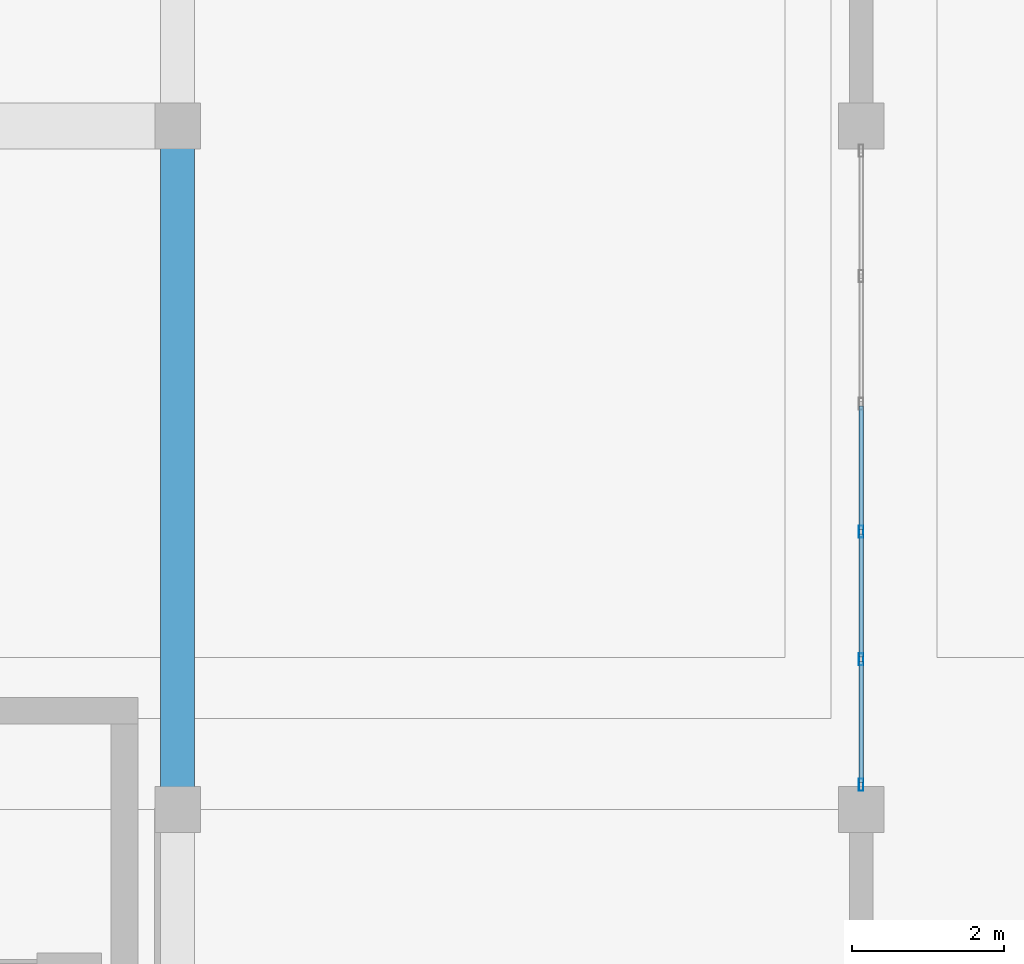
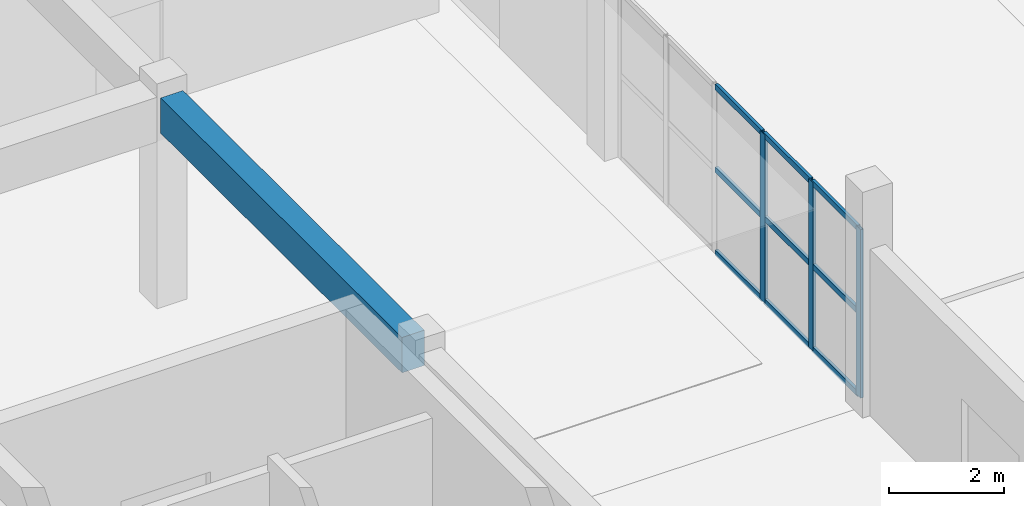
# One storey, part 27 of 89: 12 members, 1 beam, 1 element without a shape of its own.
"""IFC4 building model written with IfcOpenShell, lengths in metres."""

import ifcopenshell
import ifcopenshell.guid

model = None  # the IFC model being written
_history = None  # IfcOwnerHistory: only IFC2X3 demands one
_inside = {}  # id of a spatial element -> (the spatial element, [elements in it])
_under = {}  # id of a project, library or spatial element -> (it, [spatial elements below it])
_declared = {}  # id of a project -> (the project, [libraries it declares])
_typed = {}  # id of a type object -> (the type object, [elements of that type])
_made_of = {}  # id of a material, layer set ... -> (it, [elements and type objects made of it])


def new_model(schema):
    """Start an empty IFC model of exactly this schema.

    Asked for "IFC4X3", IfcOpenShell would pick the latest addendum, in which some entities
    have other attributes; the version numbers below select the first issue.
    IFC2X3 requires an IfcOwnerHistory on every rooted entity: one is made here for all.
    """
    global model, _history
    if schema == "IFC4X3":
        model = ifcopenshell.file(schema_version=(4, 3, 0, 0))
    else:
        model = ifcopenshell.file(schema=schema)
    _inside.clear()
    _under.clear()
    _declared.clear()
    _typed.clear()
    _made_of.clear()
    _history = None
    if model.schema == "IFC2X3":
        org = make("IfcOrganization", Name="unknown")
        user = make(
            "IfcPersonAndOrganization",
            ThePerson=make("IfcPerson", FamilyName="unknown"),
            TheOrganization=org,
        )
        app = make(
            "IfcApplication",
            ApplicationDeveloper=org,
            Version="unknown",
            ApplicationFullName="unknown",
            ApplicationIdentifier="unknown",
        )
        _history = make(
            "IfcOwnerHistory",
            OwningUser=user,
            OwningApplication=app,
            ChangeAction="ADDED",
            CreationDate=0,
        )
    return model


def make(cls, **values):
    """One entity of the class cls with the attributes given. An attribute that is None is left unset."""
    return model.create_entity(
        cls, **{name: value for name, value in values.items() if value is not None}
    )


def rooted(cls, **values):
    """An entity with a GlobalId (a new one), such as an element, a storey or a relation."""
    return make(cls, GlobalId=ifcopenshell.guid.new(), OwnerHistory=_history, **values)


def si_unit(unit_type, name, prefix=None):
    """IfcSIUnit, for example si_unit("LENGTHUNIT", "METRE", prefix="MILLI")."""
    return make("IfcSIUnit", UnitType=unit_type, Prefix=prefix, Name=name)


def assignment(units):
    """IfcUnitAssignment: the units of a project."""
    return None if units is None else make("IfcUnitAssignment", Units=units)


def point(xyz):
    """IfcCartesianPoint."""
    return None if xyz is None else make("IfcCartesianPoint", Coordinates=xyz)


def direction(xyz):
    """IfcDirection."""
    return None if xyz is None else make("IfcDirection", DirectionRatios=xyz)


def frame(location, z_axis=None, x_axis=None):
    """IfcAxis2Placement3D, a coordinate frame: its origin and axes. An axis left out is left unset."""
    return make(
        "IfcAxis2Placement3D",
        Location=point(location),
        Axis=direction(z_axis),
        RefDirection=direction(x_axis),
    )


def frame_2d(location, x_axis=None):
    """IfcAxis2Placement2D, a coordinate frame in the plane: its origin and x axis."""
    return make(
        "IfcAxis2Placement2D", Location=point(location), RefDirection=direction(x_axis)
    )


def origin():
    """The frame at (0, 0, 0) with its axes left unset."""
    return frame((0.0, 0.0, 0.0))


def origin_2d():
    """The frame at (0, 0) in the plane with its x axis left unset."""
    return frame_2d((0.0, 0.0))


def place(relative_to, where):
    """IfcLocalPlacement: puts the frame where relative to a parent placement (None: the world)."""
    return make(
        "IfcLocalPlacement", PlacementRelTo=relative_to, RelativePlacement=where
    )


def context(
    kind, dimensions, precision=None, world=None, true_north=None, identifier=None
):
    """IfcGeometricRepresentationContext, for example the 3D "Model" context."""
    return make(
        "IfcGeometricRepresentationContext",
        ContextIdentifier=identifier,
        ContextType=kind,
        CoordinateSpaceDimension=dimensions,
        Precision=precision,
        WorldCoordinateSystem=world,
        TrueNorth=true_north,
    )


def subcontext(parent, identifier, kind, view, scale=None):
    """IfcGeometricRepresentationSubContext, for example "Body" below "Model"."""
    return make(
        "IfcGeometricRepresentationSubContext",
        ContextIdentifier=identifier,
        ContextType=kind,
        ParentContext=parent,
        TargetScale=scale,
        TargetView=view,
    )


def project(units=None, contexts=None):
    """IfcProject with its units and contexts."""
    return rooted(
        "IfcProject",
        Name="project",
        RepresentationContexts=contexts,
        UnitsInContext=assignment(units),
    )


def spatial(cls, under=None, at=None, **own):
    """A site, building, storey or space (cls), placed at a placement, below another one or the project."""
    s = rooted(cls, ObjectPlacement=at, **own)
    if under is not None:
        _under.setdefault(under.id(), (under, []))[1].append(s)
    return s


def profile(cls, at=None, kind="AREA", **sizes):
    """A parametric profile (cls). Its sizes go by their IFC names, for example OverallWidth=200.0."""
    return make(cls, ProfileType=kind, Position=at, **sizes)


def rectangle(**sizes):
    """IfcRectangleProfileDef."""
    return profile("IfcRectangleProfileDef", **sizes)


def hollow_rectangle(**sizes):
    """IfcRectangleHollowProfileDef."""
    return profile("IfcRectangleHollowProfileDef", **sizes)


def extrude(swept, where, along, depth):
    """IfcExtrudedAreaSolid: the profile swept, set in the frame where, extruded along a direction by depth."""
    return make(
        "IfcExtrudedAreaSolid",
        SweptArea=swept,
        Position=where,
        ExtrudedDirection=direction(along),
        Depth=depth,
    )


def shape(context_of_items, identifier, shape_type, items):
    """IfcShapeRepresentation: the items that make up one representation, for example the "Body"."""
    return make(
        "IfcShapeRepresentation",
        ContextOfItems=context_of_items,
        RepresentationIdentifier=identifier,
        RepresentationType=shape_type,
        Items=items,
    )


def material(Name=None, Category=None):
    """IfcMaterial."""
    return make("IfcMaterial", Name=Name, Category=Category)


def layer(
    of_material, thickness, ventilated=None, Name=None, Category=None, Priority=None
):
    """IfcMaterialLayer: one layer of a wall or slab, of a material (None: an air gap)."""
    return make(
        "IfcMaterialLayer",
        Material=of_material,
        LayerThickness=thickness,
        IsVentilated=ventilated,
        Name=Name,
        Category=Category,
        Priority=Priority,
    )


def layer_set(layers, Name=None):
    """IfcMaterialLayerSet."""
    return make("IfcMaterialLayerSet", MaterialLayers=layers, LayerSetName=Name)


def material_profile(
    of_material, cross_section, Name=None, Category=None, Priority=None
):
    """IfcMaterialProfile: a cross section and its material."""
    return make(
        "IfcMaterialProfile",
        Name=Name,
        Material=of_material,
        Profile=cross_section,
        Priority=Priority,
        Category=Category,
    )


def profile_set(profiles, Name=None, composite=None):
    """IfcMaterialProfileSet."""
    return make(
        "IfcMaterialProfileSet",
        Name=Name,
        MaterialProfiles=profiles,
        CompositeProfile=composite,
    )


def made_of(thing, what):
    """Note that an element or type object is made of a material, layer set ...; save() writes the relation."""
    if what is not None:
        _made_of.setdefault(what.id(), (what, []))[1].append(thing)
    return thing


def type_object(cls, material=None, **own):
    """A type object (cls), such as IfcWallType, which elements share."""
    return made_of(rooted(cls, **own), material)


def element(
    cls,
    number,
    at=None,
    inside=None,
    cuts=None,
    type_object=None,
    material=None,
    context=None,
    identifier="Body",
    shape_type=None,
    held_by="IfcProductDefinitionShape",
    body=None,
    shapes=None,
    **own,
):
    """One element of the class cls, such as IfcWall. Its Tag is "e" and its number.

    at: its placement. inside: the storey or other place that contains it. cuts: it is an
    opening in that element (IfcRelVoidsElement). A single representation is given by context,
    identifier, shape_type and body (its items); several are given by shapes. held_by: the class
    of the entity that holds the representations. save() writes the other relations.
    """
    e = rooted(cls, Tag="e%d" % number, ObjectPlacement=at, **own)
    if body is not None:
        shapes = [shape(context, identifier, shape_type, body)]
    if shapes is not None:
        e.Representation = make(held_by, Representations=shapes)
    if inside is not None:
        _inside.setdefault(inside.id(), (inside, []))[1].append(e)
    if cuts is not None:
        rooted(
            "IfcRelVoidsElement", RelatingBuildingElement=cuts, RelatedOpeningElement=e
        )
    if type_object is not None:
        _typed.setdefault(type_object.id(), (type_object, []))[1].append(e)
    return made_of(e, material)


def aggregate(whole, parts):
    """IfcRelAggregates: a whole, such as a stair, and the parts it consists of."""
    return rooted("IfcRelAggregates", RelatingObject=whole, RelatedObjects=parts)


def save(model, path):
    """Write the relations noted so far, then the file.

    IfcRelAggregates (storeys below a building ...), IfcRelContainedInSpatialStructure (elements
    in a storey), IfcRelDefinesByType, IfcRelAssociatesMaterial and IfcRelDeclares: one each for
    every whole, place, type object, material and project.
    """
    for whole, parts in _under.values():
        aggregate(whole, parts)
    for where, things in _inside.values():
        rooted(
            "IfcRelContainedInSpatialStructure",
            RelatedElements=things,
            RelatingStructure=where,
        )
    for kind, things in _typed.values():
        rooted("IfcRelDefinesByType", RelatedObjects=things, RelatingType=kind)
    for what, things in _made_of.values():
        rooted("IfcRelAssociatesMaterial", RelatedObjects=things, RelatingMaterial=what)
    for by, libraries in _declared.values():
        rooted("IfcRelDeclares", RelatingContext=by, RelatedDefinitions=libraries)
    model.write(path)


model = new_model("IFC4")

# Units and contexts
model_context = context("Model", 3, precision=1e-05, world=origin(), true_north=direction((0.0, 1.0)))
body_context = subcontext(model_context, "Body", "Model", "MODEL_VIEW")
ifc_project = project(units=[si_unit("LENGTHUNIT", "METRE"), si_unit("AREAUNIT", "SQUARE_METRE"), si_unit("VOLUMEUNIT", "CUBIC_METRE"), si_unit("PLANEANGLEUNIT", "RADIAN"), si_unit("MASSUNIT", "GRAM", prefix="KILO")], contexts=[model_context])

# Site, building, storey
site_placement = place(None, origin())
site = spatial("IfcSite", under=ifc_project, at=site_placement, CompositionType="ELEMENT")
building_placement = place(site_placement, origin())
building = spatial("IfcBuilding", under=site, at=building_placement, Name="Dornveld Trade and Exhibition Forum", CompositionType="ELEMENT")
storey_placement = place(building_placement, frame((0.0, 0.0, 12.0)))
storey = spatial("IfcBuildingStorey", under=building, at=storey_placement, Name="L02", CompositionType="ELEMENT", Elevation=12.0)

# Beam
ifc_material_1 = material(Name="Precast concrete C50/60", Category="concrete")
ifc_material_profile_1 = material_profile(ifc_material_1, rectangle(XDim=0.449951171875, YDim=0.75, at=origin_2d()), Name="PC-BM 450x750")
ifc_profile_set_1 = profile_set([ifc_material_profile_1], Name="Precast concrete C50/60")
beam_type = type_object("IfcBeamType", Name="BM-PC-450x750", PredefinedType="BEAM", material=ifc_profile_set_1)
beam_placement = place(storey_placement, frame((216.0, 27.2958984375, 4.10302734375), z_axis=(0.0, 1.0, 0.0), x_axis=(-1.0, 0.0, 0.0)))
element("IfcBeam", 1, at=beam_placement, inside=storey, type_object=beam_type, Name="L02 Y-girder 1573", PredefinedType="BEAM", context=body_context, shape_type="SweptSolid", body=[
    extrude(rectangle(XDim=0.449951171875, YDim=0.75, at=origin_2d()), origin(), (0.0, 0.0, 1.0), 8.408203125),
])

# Curtain wall, members
ifc_material_2 = material(Name="Dark-bronze anodised aluminium and low-E glass", Category="aluminium")
ifc_layer = layer(ifc_material_2, 0.159912109375)
ifc_layer_set = layer_set([ifc_layer], Name="Dark-bronze anodised aluminium and low-E glass")
curtain_wall_type = type_object("IfcCurtainWallType", Name="CW-SYS-06", PredefinedType="USERDEFINED", material=ifc_layer_set)
curtain_wall_placement = place(storey_placement, origin())
curtain_wall = element("IfcCurtainWall", 2, at=curtain_wall_placement, inside=storey, type_object=curtain_wall_type, Name="L02 unitised curtain wall 78", ObjectType="UNITISED_CURTAIN_WALL", PredefinedType="USERDEFINED")
ifc_material_3 = material(Name="Dark-bronze anodised aluminium", Category="aluminium")
ifc_material_profile_2 = material_profile(ifc_material_3, hollow_rectangle(XDim=0.06005859375, YDim=0.159912109375, WallThickness=0.00390625, at=origin_2d()), Name="RHS 160x60x4")
ifc_profile_set_2 = profile_set([ifc_material_profile_2], Name="Dark-bronze anodised aluminium")
member_type_1 = type_object("IfcMemberType", Name="CW-MUL-160", PredefinedType="MULLION", material=ifc_profile_set_2)
member_1_placement = place(storey_placement, frame((225.0, 27.325927734375, -0.00390625), z_axis=(0.0, 0.0, 1.0), x_axis=(-1.0, 0.0, 0.0)))
member_1 = element("IfcMember", 3, at=member_1_placement, type_object=member_type_1, Name="CW-06 mullion 1", PredefinedType="MULLION", context=body_context, shape_type="SweptSolid", body=[
    extrude(hollow_rectangle(XDim=0.06005859375, YDim=0.159912109375, WallThickness=0.00390625, at=origin_2d()), origin(), (0.0, 0.0, 1.0), 3.583984375),
])
member_2_placement = place(storey_placement, frame((225.0, 28.9775390625, -0.00390625), z_axis=(0.0, 0.0, 1.0), x_axis=(-1.0, 0.0, 0.0)))
member_2 = element("IfcMember", 4, at=member_2_placement, type_object=member_type_1, Name="CW-06 mullion 2", PredefinedType="MULLION", context=body_context, shape_type="SweptSolid", body=[
    extrude(hollow_rectangle(XDim=0.06005859375, YDim=0.159912109375, WallThickness=0.00390625, at=origin_2d()), origin(), (0.0, 0.0, 1.0), 3.583984375),
])
member_3_placement = place(storey_placement, frame((225.0, 30.6591796875, -0.00390625), z_axis=(0.0, 0.0, 1.0), x_axis=(-1.0, 0.0, 0.0)))
member_3 = element("IfcMember", 5, at=member_3_placement, type_object=member_type_1, Name="CW-06 mullion 3", PredefinedType="MULLION", context=body_context, shape_type="SweptSolid", body=[
    extrude(hollow_rectangle(XDim=0.06005859375, YDim=0.159912109375, WallThickness=0.00390625, at=origin_2d()), origin(), (0.0, 0.0, 1.0), 3.583984375),
])
ifc_material_4 = material(Name="Dark-bronze anodised aluminium", Category="aluminium")
ifc_material_profile_3 = material_profile(ifc_material_4, hollow_rectangle(XDim=0.06005859375, YDim=0.1201171875, WallThickness=0.00390625, at=origin_2d()), Name="RHS 120x60x4")
ifc_profile_set_3 = profile_set([ifc_material_profile_3], Name="Dark-bronze anodised aluminium")
member_type_2 = type_object("IfcMemberType", Name="CW-TRN-120", PredefinedType="USERDEFINED", material=ifc_profile_set_3)
member_4_placement = place(storey_placement, frame((225.0, 27.35595703125, 0.02587890625), z_axis=(0.0, 1.0, 0.0), x_axis=(-1.0, 0.0, 0.0)))
member_4 = element("IfcMember", 6, at=member_4_placement, type_object=member_type_2, Name="CW-06 transom 1.1", ObjectType="TRANSOM", PredefinedType="USERDEFINED", context=body_context, shape_type="SweptSolid", body=[
    extrude(hollow_rectangle(XDim=0.06005859375, YDim=0.1201171875, WallThickness=0.00390625, at=origin_2d()), origin(), (0.0, 0.0, 1.0), 1.591552734375),
])
member_5_placement = place(storey_placement, frame((225.0, 27.35595703125, 1.7880859375), z_axis=(0.0, 1.0, 0.0), x_axis=(-1.0, 0.0, 0.0)))
member_5 = element("IfcMember", 7, at=member_5_placement, type_object=member_type_2, Name="CW-06 transom 1.2", ObjectType="TRANSOM", PredefinedType="USERDEFINED", context=body_context, shape_type="SweptSolid", body=[
    extrude(hollow_rectangle(XDim=0.06005859375, YDim=0.1201171875, WallThickness=0.00390625, at=origin_2d()), origin(), (0.0, 0.0, 1.0), 1.591552734375),
])
member_6_placement = place(storey_placement, frame((225.0, 27.35595703125, 3.550048828125), z_axis=(0.0, 1.0, 0.0), x_axis=(-1.0, 0.0, 0.0)))
member_6 = element("IfcMember", 8, at=member_6_placement, type_object=member_type_2, Name="CW-06 transom 1.3", ObjectType="TRANSOM", PredefinedType="USERDEFINED", context=body_context, shape_type="SweptSolid", body=[
    extrude(hollow_rectangle(XDim=0.06005859375, YDim=0.1201171875, WallThickness=0.00390625, at=origin_2d()), origin(), (0.0, 0.0, 1.0), 1.591552734375),
])
member_7_placement = place(storey_placement, frame((225.0, 29.007568359375, 0.02587890625), z_axis=(0.0, 1.0, 0.0), x_axis=(-1.0, 0.0, 0.0)))
member_7 = element("IfcMember", 9, at=member_7_placement, type_object=member_type_2, Name="CW-06 transom 2.1", ObjectType="TRANSOM", PredefinedType="USERDEFINED", context=body_context, shape_type="SweptSolid", body=[
    extrude(hollow_rectangle(XDim=0.06005859375, YDim=0.1201171875, WallThickness=0.00390625, at=origin_2d()), origin(), (0.0, 0.0, 1.0), 1.62158203125),
])
member_8_placement = place(storey_placement, frame((225.0, 29.007568359375, 1.7880859375), z_axis=(0.0, 1.0, 0.0), x_axis=(-1.0, 0.0, 0.0)))
member_8 = element("IfcMember", 10, at=member_8_placement, type_object=member_type_2, Name="CW-06 transom 2.2", ObjectType="TRANSOM", PredefinedType="USERDEFINED", context=body_context, shape_type="SweptSolid", body=[
    extrude(hollow_rectangle(XDim=0.06005859375, YDim=0.1201171875, WallThickness=0.00390625, at=origin_2d()), origin(), (0.0, 0.0, 1.0), 1.62158203125),
])
member_9_placement = place(storey_placement, frame((225.0, 29.007568359375, 3.550048828125), z_axis=(0.0, 1.0, 0.0), x_axis=(-1.0, 0.0, 0.0)))
member_9 = element("IfcMember", 11, at=member_9_placement, type_object=member_type_2, Name="CW-06 transom 2.3", ObjectType="TRANSOM", PredefinedType="USERDEFINED", context=body_context, shape_type="SweptSolid", body=[
    extrude(hollow_rectangle(XDim=0.06005859375, YDim=0.1201171875, WallThickness=0.00390625, at=origin_2d()), origin(), (0.0, 0.0, 1.0), 1.62158203125),
])
member_10_placement = place(storey_placement, frame((225.0, 30.689208984375, 0.02587890625), z_axis=(0.0, 1.0, 0.0), x_axis=(-1.0, 0.0, 0.0)))
member_10 = element("IfcMember", 12, at=member_10_placement, type_object=member_type_2, Name="CW-06 transom 3.1", ObjectType="TRANSOM", PredefinedType="USERDEFINED", context=body_context, shape_type="SweptSolid", body=[
    extrude(hollow_rectangle(XDim=0.06005859375, YDim=0.1201171875, WallThickness=0.00390625, at=origin_2d()), origin(), (0.0, 0.0, 1.0), 1.62158203125),
])
member_11_placement = place(storey_placement, frame((225.0, 30.689208984375, 1.7880859375), z_axis=(0.0, 1.0, 0.0), x_axis=(-1.0, 0.0, 0.0)))
member_11 = element("IfcMember", 13, at=member_11_placement, type_object=member_type_2, Name="CW-06 transom 3.2", ObjectType="TRANSOM", PredefinedType="USERDEFINED", context=body_context, shape_type="SweptSolid", body=[
    extrude(hollow_rectangle(XDim=0.06005859375, YDim=0.1201171875, WallThickness=0.00390625, at=origin_2d()), origin(), (0.0, 0.0, 1.0), 1.62158203125),
])
member_12_placement = place(storey_placement, frame((225.0, 30.689208984375, 3.550048828125), z_axis=(0.0, 1.0, 0.0), x_axis=(-1.0, 0.0, 0.0)))
member_12 = element("IfcMember", 14, at=member_12_placement, type_object=member_type_2, Name="CW-06 transom 3.3", ObjectType="TRANSOM", PredefinedType="USERDEFINED", context=body_context, shape_type="SweptSolid", body=[
    extrude(hollow_rectangle(XDim=0.06005859375, YDim=0.1201171875, WallThickness=0.00390625, at=origin_2d()), origin(), (0.0, 0.0, 1.0), 1.62158203125),
])
aggregate(curtain_wall, [member_1, member_2, member_3, member_4, member_5, member_6, member_7, member_8, member_9, member_10, member_11, member_12])

save(model, "model.ifc")
